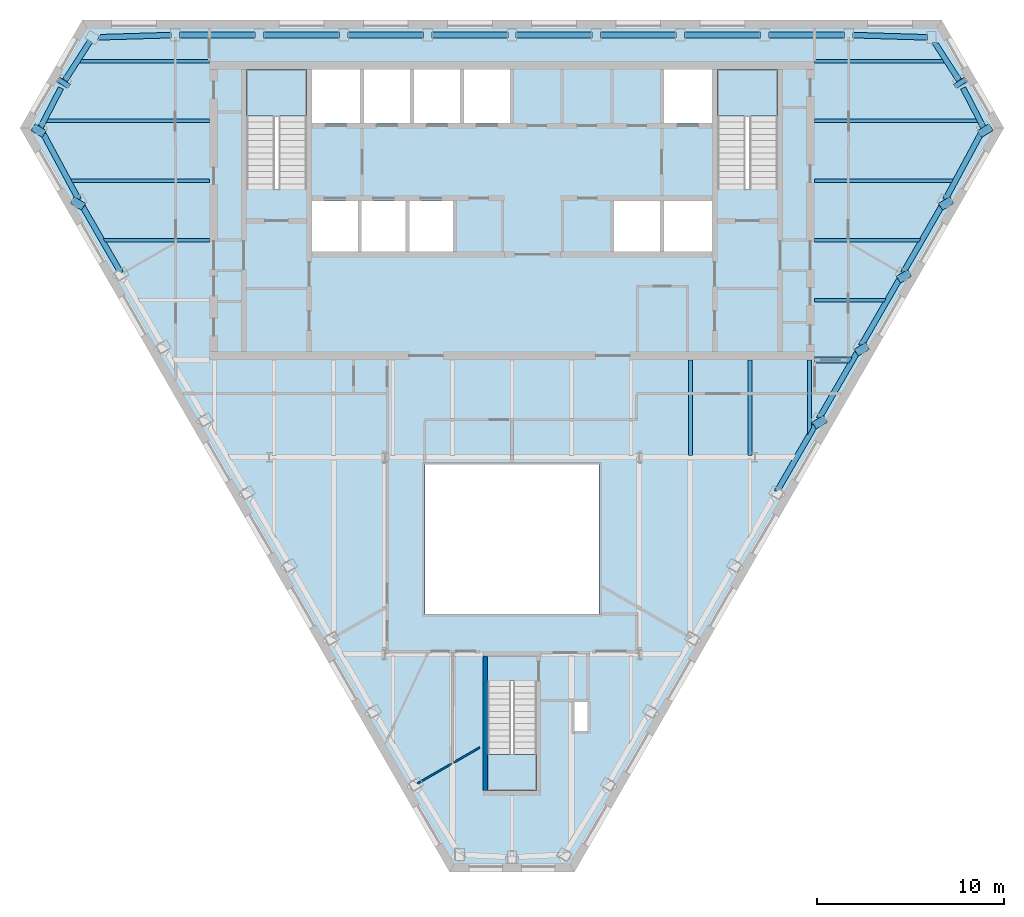
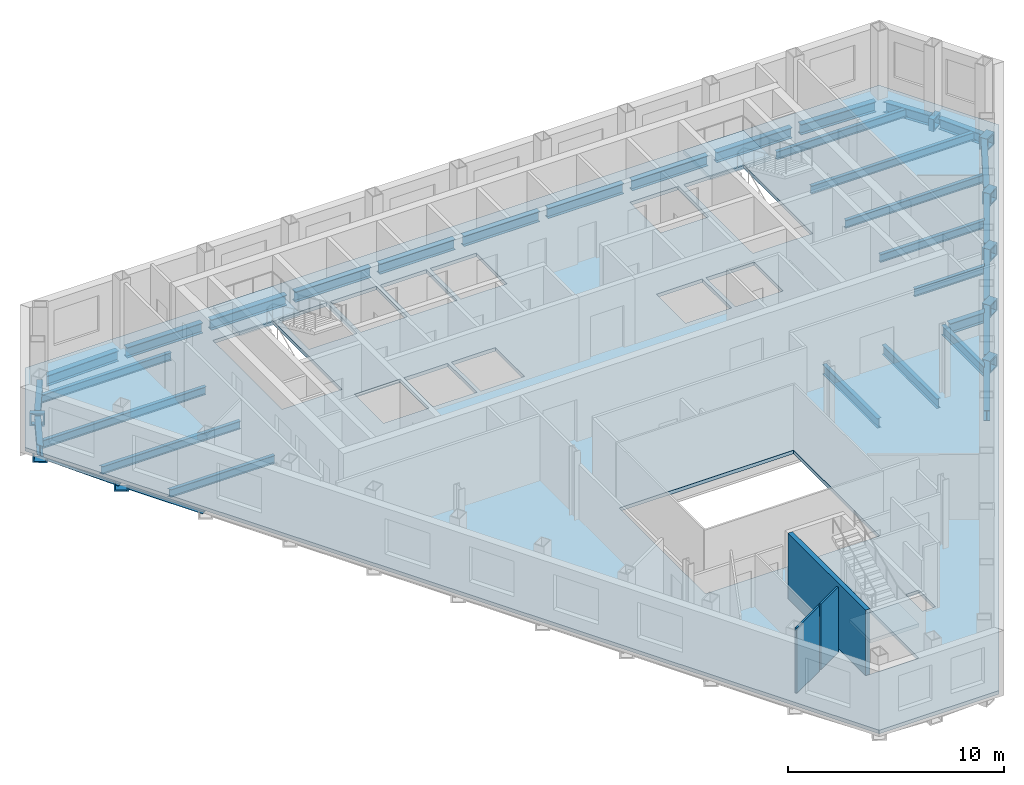
# One storey, part 3 of 10: 43 beams, 4 slabs, 3 walls, 3 elements without a shape of their own.
"""IFC4 building model written with IfcOpenShell, lengths in metres."""

from ifc_helpers import new_model, si_unit, direction, frame, frame_2d, origin, origin_2d, place, context, subcontext, project, spatial, polyline, rectangle, hollow_rectangle, i_section, outline, extrude, clip, halfspace, material, layer, layer_set, material_profile, profile_set, type_object, element, aggregate, save


model = new_model("IFC4")

# Units and contexts
model_context = context("Model", 3, precision=1e-05, world=origin(), true_north=direction((0.0, 1.0)))
body_context = subcontext(model_context, "Body", "Model", "MODEL_VIEW")
ifc_project = project(units=[si_unit("LENGTHUNIT", "METRE"), si_unit("AREAUNIT", "SQUARE_METRE"), si_unit("VOLUMEUNIT", "CUBIC_METRE"), si_unit("PLANEANGLEUNIT", "RADIAN"), si_unit("MASSUNIT", "GRAM", prefix="KILO")], contexts=[model_context])

# Site, building, storey
site_placement = place(None, origin())
site = spatial("IfcSite", under=ifc_project, at=site_placement, CompositionType="ELEMENT")
building_placement = place(site_placement, origin())
building = spatial("IfcBuilding", under=site, at=building_placement, Name="Njiva Tower", CompositionType="ELEMENT")
storey_placement = place(building_placement, frame((0.0, 0.0, 227.7)))
storey = spatial("IfcBuildingStorey", under=building, at=storey_placement, Name="L51", CompositionType="ELEMENT", Elevation=227.7)

# Beams
ifc_material_1 = material(Name="Steel S355 J2", Category="steel")
ifc_material_profile_1 = material_profile(ifc_material_1, hollow_rectangle(XDim=0.7, YDim=0.7, WallThickness=0.08, at=origin_2d()), Name="BOX 700x700x80")
ifc_profile_set_1 = profile_set([ifc_material_profile_1], Name="Steel S355 J2")
beam_type_1 = type_object("IfcBeamType", Name="B19 Column jog beam BOX 700x700x80", PredefinedType="BEAM", material=ifc_profile_set_1)
beam_1_placement = place(storey_placement, frame((-24.09, 16.728, -0.55), z_axis=(0.550486638041, 0.834843974248, 0.0), x_axis=(-0.834843974248, 0.550486638041, 0.0)))
element("IfcBeam", 1, at=beam_1_placement, inside=storey, type_object=beam_type_1, Name="Column jog beam S17-B020", PredefinedType="BEAM", context=body_context, shape_type="SweptSolid", body=[
    extrude(hollow_rectangle(XDim=0.7, YDim=0.7, WallThickness=0.08, at=origin_2d()), origin(), (0.0, 0.0, 1.0), 0.2743),
])
beam_2_placement = place(storey_placement, frame((-25.449, 14.104, -0.55), z_axis=(0.522782921539, 0.852465845032, 0.0), x_axis=(-0.852465845032, 0.522782921539, 0.0)))
element("IfcBeam", 2, at=beam_2_placement, inside=storey, type_object=beam_type_1, Name="Column jog beam S17-B019", PredefinedType="BEAM", context=body_context, shape_type="SweptSolid", body=[
    extrude(hollow_rectangle(XDim=0.7, YDim=0.7, WallThickness=0.08, at=origin_2d()), origin(), (0.0, 0.0, 1.0), 0.4247),
])
beam_3_placement = place(storey_placement, frame((-23.348, 10.2, -0.55), z_axis=(0.52002159304, 0.85415311436, 0.0), x_axis=(-0.85415311436, 0.52002159304, 0.0)))
element("IfcBeam", 3, at=beam_3_placement, inside=storey, type_object=beam_type_1, Name="Column jog beam S17-B021", PredefinedType="BEAM", context=body_context, shape_type="SweptSolid", body=[
    extrude(hollow_rectangle(XDim=0.7, YDim=0.7, WallThickness=0.08, at=origin_2d()), origin(), (0.0, 0.0, 1.0), 0.425),
])
beam_4_placement = place(storey_placement, frame((16.584, -1.515, -0.55), z_axis=(-0.50314668799, 0.864201024279, 0.0), x_axis=(-0.864201024279, -0.50314668799, 0.0)))
element("IfcBeam", 4, at=beam_4_placement, inside=storey, type_object=beam_type_1, Name="Column jog beam S17-B042", PredefinedType="BEAM", context=body_context, shape_type="SweptSolid", body=[
    extrude(hollow_rectangle(XDim=0.7, YDim=0.7, WallThickness=0.08, at=origin_2d()), origin(), (0.0, 0.0, 1.0), 0.4293),
])
beam_5_placement = place(storey_placement, frame((18.839, 2.389, -0.55), z_axis=(-0.510377209409, 0.859950640511, 0.0), x_axis=(-0.859950640511, -0.510377209409, 0.0)))
element("IfcBeam", 5, at=beam_5_placement, inside=storey, type_object=beam_type_1, Name="Column jog beam S17-B043", PredefinedType="BEAM", context=body_context, shape_type="SweptSolid", body=[
    extrude(hollow_rectangle(XDim=0.7, YDim=0.7, WallThickness=0.08, at=origin_2d()), origin(), (0.0, 0.0, 1.0), 0.4291),
])
beam_6_placement = place(storey_placement, frame((21.094, 6.295, -0.55), z_axis=(-0.516220048366, 0.856455989334, 0.0), x_axis=(-0.856455989334, -0.516220048366, 0.0)))
element("IfcBeam", 6, at=beam_6_placement, inside=storey, type_object=beam_type_1, Name="Column jog beam S17-B044", PredefinedType="BEAM", context=body_context, shape_type="SweptSolid", body=[
    extrude(hollow_rectangle(XDim=0.7, YDim=0.7, WallThickness=0.08, at=origin_2d()), origin(), (0.0, 0.0, 1.0), 0.4262),
])
beam_7_placement = place(storey_placement, frame((23.348, 10.2, -0.55), z_axis=(-0.52002159304, 0.85415311436, 0.0), x_axis=(-0.85415311436, -0.52002159304, 0.0)))
element("IfcBeam", 7, at=beam_7_placement, inside=storey, type_object=beam_type_1, Name="Column jog beam S17-B045", PredefinedType="BEAM", context=body_context, shape_type="SweptSolid", body=[
    extrude(hollow_rectangle(XDim=0.7, YDim=0.7, WallThickness=0.08, at=origin_2d()), origin(), (0.0, 0.0, 1.0), 0.425),
])
beam_8_placement = place(storey_placement, frame((25.449, 14.104, -0.55), z_axis=(-0.522782921539, 0.852465845032, 0.0), x_axis=(-0.852465845032, -0.522782921539, 0.0)))
element("IfcBeam", 8, at=beam_8_placement, inside=storey, type_object=beam_type_1, Name="Column jog beam S17-B047", PredefinedType="BEAM", context=body_context, shape_type="SweptSolid", body=[
    extrude(hollow_rectangle(XDim=0.7, YDim=0.7, WallThickness=0.08, at=origin_2d()), origin(), (0.0, 0.0, 1.0), 0.4247),
])
beam_9_placement = place(storey_placement, frame((24.09, 16.728, -0.55), z_axis=(-0.550486638041, 0.834843974248, 0.0), x_axis=(-0.834843974248, -0.550486638041, 0.0)))
element("IfcBeam", 9, at=beam_9_placement, inside=storey, type_object=beam_type_1, Name="Column jog beam S17-B046", PredefinedType="BEAM", context=body_context, shape_type="SweptSolid", body=[
    extrude(hollow_rectangle(XDim=0.7, YDim=0.7, WallThickness=0.08, at=origin_2d()), origin(), (0.0, 0.0, 1.0), 0.2743),
])
ifc_material_profile_2 = material_profile(ifc_material_1, i_section(OverallWidth=0.3, OverallDepth=0.59, WebThickness=0.013, FlangeThickness=0.025, at=origin_2d()), Name="HEA 600")
ifc_profile_set_2 = profile_set([ifc_material_profile_2], Name="Steel S355 J2")
beam_type_2 = type_object("IfcBeamType", Name="B27 Short-span spandrel beam HEA 600", PredefinedType="SPANDREL", material=ifc_profile_set_2)
beam_10_placement = place(storey_placement, frame((22.237, 19.273, -0.495), z_axis=(-0.999544404005, 0.03018251849, 0.0), x_axis=(-0.03018251849, -0.999544404005, 0.0)))
element("IfcBeam", 10, at=beam_10_placement, inside=storey, type_object=beam_type_2, Name="Short-span spandrel beam S17-B132", PredefinedType="SPANDREL", context=body_context, shape_type="SweptSolid", body=[
    extrude(i_section(OverallWidth=0.3, OverallDepth=0.59, WebThickness=0.013, FlangeThickness=0.025, at=origin_2d()), origin(), (0.0, 0.0, 1.0), 3.9758),
])
beam_11_placement = place(storey_placement, frame((17.809, 19.4, -0.495), z_axis=(-1.0, 0.0, 0.0), x_axis=(0.0, -1.0, 0.0)))
element("IfcBeam", 11, at=beam_11_placement, inside=storey, type_object=beam_type_2, Name="Short-span spandrel beam S17-B126", PredefinedType="SPANDREL", context=body_context, shape_type="SweptSolid", body=[
    extrude(i_section(OverallWidth=0.3, OverallDepth=0.59, WebThickness=0.013, FlangeThickness=0.025, at=origin_2d()), origin(), (0.0, 0.0, 1.0), 4.058),
])
beam_12_placement = place(storey_placement, frame((13.301, 19.4, -0.495), z_axis=(-1.0, 0.0, 0.0), x_axis=(0.0, -1.0, 0.0)))
element("IfcBeam", 12, at=beam_12_placement, inside=storey, type_object=beam_type_2, Name="Short-span spandrel beam S17-B120", PredefinedType="SPANDREL", context=body_context, shape_type="SweptSolid", body=[
    extrude(i_section(OverallWidth=0.3, OverallDepth=0.59, WebThickness=0.013, FlangeThickness=0.025, at=origin_2d()), origin(), (0.0, 0.0, 1.0), 4.059),
])
beam_13_placement = place(storey_placement, frame((8.792, 19.4, -0.495), z_axis=(-1.0, 0.0, 0.0), x_axis=(0.0, -1.0, 0.0)))
element("IfcBeam", 13, at=beam_13_placement, inside=storey, type_object=beam_type_2, Name="Short-span spandrel beam S17-B115", PredefinedType="SPANDREL", context=body_context, shape_type="SweptSolid", body=[
    extrude(i_section(OverallWidth=0.3, OverallDepth=0.59, WebThickness=0.013, FlangeThickness=0.025, at=origin_2d()), origin(), (0.0, 0.0, 1.0), 4.058),
])
for number, where, z_axis, x_axis, name in (
    (14, (4.284, 19.4, -0.495), (-1.0, 0.0, 0.0), (0.0, -1.0, 0.0), "Short-span spandrel beam S17-B110"),
    (15, (-0.225, 19.4, -0.495), (-1.0, 0.0, 0.0), (0.0, -1.0, 0.0), "Short-span spandrel beam S17-B107"),
):
    element("IfcBeam", number, at=place(storey_placement, frame(where, z_axis=z_axis, x_axis=x_axis)), inside=storey, type_object=beam_type_2, Name=name, PredefinedType="SPANDREL", context=body_context, shape_type="SweptSolid", body=[
        extrude(i_section(OverallWidth=0.3, OverallDepth=0.59, WebThickness=0.013, FlangeThickness=0.025, at=origin_2d()), origin(), (0.0, 0.0, 1.0), 4.059),
    ])
beam_14_placement = place(storey_placement, frame((-4.734, 19.4, -0.495), z_axis=(-1.0, 0.0, 0.0), x_axis=(0.0, -1.0, 0.0)))
element("IfcBeam", 16, at=beam_14_placement, inside=storey, type_object=beam_type_2, Name="Short-span spandrel beam S17-B102", PredefinedType="SPANDREL", context=body_context, shape_type="SweptSolid", body=[
    extrude(i_section(OverallWidth=0.3, OverallDepth=0.59, WebThickness=0.013, FlangeThickness=0.025, at=origin_2d()), origin(), (0.0, 0.0, 1.0), 4.058),
])
beam_15_placement = place(storey_placement, frame((-9.242, 19.4, -0.495), z_axis=(-1.0, 0.0, 0.0), x_axis=(0.0, -1.0, 0.0)))
element("IfcBeam", 17, at=beam_15_placement, inside=storey, type_object=beam_type_2, Name="Short-span spandrel beam S17-B097", PredefinedType="SPANDREL", context=body_context, shape_type="SweptSolid", body=[
    extrude(i_section(OverallWidth=0.3, OverallDepth=0.59, WebThickness=0.013, FlangeThickness=0.025, at=origin_2d()), origin(), (0.0, 0.0, 1.0), 4.059),
])
beam_16_placement = place(storey_placement, frame((-13.751, 19.4, -0.495), z_axis=(-1.0, 0.0, 0.0), x_axis=(0.0, -1.0, 0.0)))
element("IfcBeam", 18, at=beam_16_placement, inside=storey, type_object=beam_type_2, Name="Short-span spandrel beam S17-B091", PredefinedType="SPANDREL", context=body_context, shape_type="SweptSolid", body=[
    extrude(i_section(OverallWidth=0.3, OverallDepth=0.59, WebThickness=0.013, FlangeThickness=0.025, at=origin_2d()), origin(), (0.0, 0.0, 1.0), 4.058),
])
beam_17_placement = place(storey_placement, frame((-18.263, 19.393, -0.495), z_axis=(-0.999546639656, -0.030108390081, 0.0), x_axis=(0.030108390081, -0.999546639656, 0.0)))
element("IfcBeam", 19, at=beam_17_placement, inside=storey, type_object=beam_type_2, Name="Short-span spandrel beam S17-B085", PredefinedType="SPANDREL", context=body_context, shape_type="Clipping", body=[
    clip(extrude(i_section(OverallWidth=0.3, OverallDepth=0.59, WebThickness=0.013, FlangeThickness=0.025, at=origin_2d()), origin(), (0.0, 0.0, 1.0), 3.9657), halfspace(frame((-0.0265, 0.0, 3.8362), z_axis=(-0.52584599579, 0.0, 0.850579795617), x_axis=(0.0, 1.0, 0.0)), False)),
])
beam_18_placement = place(storey_placement, frame((-22.584, 19.068, -0.495), z_axis=(-0.540635872705, -0.841256710609, 0.0), x_axis=(0.841256710609, -0.540635872705, 0.0)))
element("IfcBeam", 20, at=beam_18_placement, inside=storey, type_object=beam_type_2, Name="Short-span spandrel beam S17-B081", PredefinedType="SPANDREL", context=body_context, shape_type="SweptSolid", body=[
    extrude(i_section(OverallWidth=0.3, OverallDepth=0.59, WebThickness=0.013, FlangeThickness=0.025, at=origin_2d()), origin(), (0.0, 0.0, 1.0), 2.4915),
])
beam_19_placement = place(storey_placement, frame((-24.149, 16.564, -0.495), z_axis=(-0.458600129204, -0.888642741204, 0.0), x_axis=(0.888642741204, -0.458600129204, 0.0)))
element("IfcBeam", 21, at=beam_19_placement, inside=storey, type_object=beam_type_2, Name="Short-span spandrel beam S17-B077", PredefinedType="SPANDREL", context=body_context, shape_type="Clipping", body=[
    clip(extrude(i_section(OverallWidth=0.3, OverallDepth=0.59, WebThickness=0.013, FlangeThickness=0.025, at=origin_2d()), origin(), (0.0, 0.0, 1.0), 2.4972), halfspace(frame((-0.0266, 0.0, 2.3638), z_axis=(-0.540289057974, 0.0, 0.841479491036), x_axis=(0.0, 1.0, 0.0)), False)),
])
beam_20_placement = place(storey_placement, frame((-25.08, 14.086, -0.495), z_axis=(0.473664979548, -0.880705107939, 0.0), x_axis=(0.880705107939, 0.473664979548, 0.0)))
element("IfcBeam", 22, at=beam_20_placement, inside=storey, type_object=beam_type_2, Name="Short-span spandrel beam S17-B080", PredefinedType="SPANDREL", context=body_context, shape_type="SweptSolid", body=[
    extrude(i_section(OverallWidth=0.3, OverallDepth=0.59, WebThickness=0.013, FlangeThickness=0.025, at=origin_2d()), origin(), (0.0, 0.0, 1.0), 3.9775),
])
for number, where, z_axis, x_axis, name in (
    (23, (-22.972, 10.19, -0.495), (0.499928631667, -0.86606660439, 0.0), (0.86606660439, 0.499928631667, 0.0), "Short-span spandrel beam S17-B084"),
    (24, (14.18, -5.039, -0.495), (0.499928631667, 0.86606660439, 0.0), (-0.86606660439, 0.499928631667, 0.0), "Short-span spandrel beam S17-B127"),
):
    element("IfcBeam", number, at=place(storey_placement, frame(where, z_axis=z_axis, x_axis=x_axis)), inside=storey, type_object=beam_type_2, Name=name, PredefinedType="SPANDREL", context=body_context, shape_type="SweptSolid", body=[
        extrude(i_section(OverallWidth=0.3, OverallDepth=0.59, WebThickness=0.013, FlangeThickness=0.025, at=origin_2d()), origin(), (0.0, 0.0, 1.0), 4.0586),
    ])
beam_21_placement = place(storey_placement, frame((16.434, -1.134, -0.495), z_axis=(0.500035331196, 0.866005004348, 0.0), x_axis=(-0.866005004348, 0.500035331196, 0.0)))
element("IfcBeam", 25, at=beam_21_placement, inside=storey, type_object=beam_type_2, Name="Short-span spandrel beam S17-B129", PredefinedType="SPANDREL", context=body_context, shape_type="SweptSolid", body=[
    extrude(i_section(OverallWidth=0.3, OverallDepth=0.59, WebThickness=0.013, FlangeThickness=0.025, at=origin_2d()), origin(), (0.0, 0.0, 1.0), 4.0577),
])
beam_22_placement = place(storey_placement, frame((18.688, 2.77, -0.495), z_axis=(0.500006734102, 0.866021515814, 0.0), x_axis=(-0.866021515814, 0.500006734102, 0.0)))
element("IfcBeam", 26, at=beam_22_placement, inside=storey, type_object=beam_type_2, Name="Short-span spandrel beam S17-B133", PredefinedType="SPANDREL", context=body_context, shape_type="SweptSolid", body=[
    extrude(i_section(OverallWidth=0.3, OverallDepth=0.59, WebThickness=0.013, FlangeThickness=0.025, at=origin_2d()), origin(), (0.0, 0.0, 1.0), 4.0599),
])
beam_23_placement = place(storey_placement, frame((20.943, 6.675, -0.495), z_axis=(0.499928631667, 0.86606660439, 0.0), x_axis=(-0.86606660439, 0.499928631667, 0.0)))
element("IfcBeam", 27, at=beam_23_placement, inside=storey, type_object=beam_type_2, Name="Short-span spandrel beam S17-B135", PredefinedType="SPANDREL", context=body_context, shape_type="SweptSolid", body=[
    extrude(i_section(OverallWidth=0.3, OverallDepth=0.59, WebThickness=0.013, FlangeThickness=0.025, at=origin_2d()), origin(), (0.0, 0.0, 1.0), 4.0586),
])
beam_24_placement = place(storey_placement, frame((23.196, 10.583, -0.495), z_axis=(0.473853135493, 0.880603887104, 0.0), x_axis=(-0.880603887104, 0.473853135493, 0.0)))
element("IfcBeam", 28, at=beam_24_placement, inside=storey, type_object=beam_type_2, Name="Short-span spandrel beam S17-B139", PredefinedType="SPANDREL", context=body_context, shape_type="SweptSolid", body=[
    extrude(i_section(OverallWidth=0.3, OverallDepth=0.59, WebThickness=0.013, FlangeThickness=0.025, at=origin_2d()), origin(), (0.0, 0.0, 1.0), 4.3516),
])
beam_25_placement = place(storey_placement, frame((25.258, 14.415, -0.495), z_axis=(-0.458590252473, 0.8886478382, 0.0), x_axis=(-0.8886478382, -0.458590252473, 0.0)))
element("IfcBeam", 29, at=beam_25_placement, inside=storey, type_object=beam_type_2, Name="Short-span spandrel beam S17-B142", PredefinedType="SPANDREL", context=body_context, shape_type="SweptSolid", body=[
    extrude(i_section(OverallWidth=0.3, OverallDepth=0.59, WebThickness=0.013, FlangeThickness=0.025, at=origin_2d()), origin(), (0.0, 0.0, 1.0), 2.4183),
])
beam_26_placement = place(storey_placement, frame((23.931, 16.972, -0.495), z_axis=(-0.540608392344, 0.841274370302, 0.0), x_axis=(-0.841274370302, -0.540608392344, 0.0)))
element("IfcBeam", 30, at=beam_26_placement, inside=storey, type_object=beam_type_2, Name="Short-span spandrel beam S17-B138", PredefinedType="SPANDREL", context=body_context, shape_type="Clipping", body=[
    clip(extrude(i_section(OverallWidth=0.3, OverallDepth=0.59, WebThickness=0.013, FlangeThickness=0.025, at=origin_2d()), origin(), (0.0, 0.0, 1.0), 2.4874), halfspace(frame((-0.027, 0.0, 2.354), z_axis=(-0.540608392344, 0.0, 0.841274370302), x_axis=(0.0, 1.0, 0.0)), False)),
])
ifc_material_profile_3 = material_profile(ifc_material_1, i_section(OverallWidth=0.3, OverallDepth=0.59, WebThickness=0.013, FlangeThickness=0.025, at=origin_2d()), Name="HEA 600")
ifc_profile_set_3 = profile_set([ifc_material_profile_3], Name="Steel S355 J2")
beam_type_3 = type_object("IfcBeamType", Name="B29 Short-span floor girder HEA 600", PredefinedType="BEAM", material=ifc_profile_set_3)
beam_27_placement = place(storey_placement, frame((16.2, 2.0, -0.495), z_axis=(1.0, 0.0, 0.0), x_axis=(0.0, 1.0, 0.0)))
element("IfcBeam", 31, at=beam_27_placement, inside=storey, type_object=beam_type_3, Name="Short-span floor girder S17-B018", PredefinedType="BEAM", context=body_context, shape_type="Clipping", body=[
    clip(extrude(i_section(OverallWidth=0.3, OverallDepth=0.59, WebThickness=0.013, FlangeThickness=0.025, at=origin_2d()), origin(), (0.0, 0.0, 1.0), 2.035), halfspace(frame((-0.025, 0.0, 1.9136), z_axis=(-0.499998009787, 0.0, 0.866026552831), x_axis=(0.0, 1.0, 0.0)), False)),
])
ifc_material_profile_4 = material_profile(ifc_material_1, i_section(OverallWidth=0.21, OverallDepth=0.55, WebThickness=0.0111, FlangeThickness=0.0172, at=origin_2d()), Name="IPE 550")
ifc_profile_set_4 = profile_set([ifc_material_profile_4], Name="Steel S355 J2")
beam_type_4 = type_object("IfcBeamType", Name="B31 Short-span floor joist IPE 550", PredefinedType="JOIST", material=ifc_profile_set_4)
beam_28_placement = place(storey_placement, frame((15.917, 1.995, -0.475), z_axis=(0.0, -1.0, 0.0), x_axis=(1.0, 0.0, 0.0)))
element("IfcBeam", 32, at=beam_28_placement, inside=storey, type_object=beam_type_4, Name="Short-span floor joist S17-B070", PredefinedType="JOIST", context=body_context, shape_type="Clipping", body=[
    clip(extrude(i_section(OverallWidth=0.21, OverallDepth=0.55, WebThickness=0.0111, FlangeThickness=0.0172, at=origin_2d()), origin(), (0.0, 0.0, 1.0), 4.027), halfspace(frame((0.043, 0.0, 3.7501), z_axis=(0.866026552831, 0.0, 0.499998009787), x_axis=(0.0, 1.0, 0.0)), False)),
])
ifc_material_profile_5 = material_profile(ifc_material_1, i_section(OverallWidth=0.21, OverallDepth=0.55, WebThickness=0.0111, FlangeThickness=0.0172, at=origin_2d()), Name="IPE 550")
ifc_profile_set_5 = profile_set([ifc_material_profile_5], Name="Steel S355 J2")
beam_type_5 = type_object("IfcBeamType", Name="B32 Floor joist IPE 550", PredefinedType="JOIST", material=ifc_profile_set_5)
for number, where, z_axis, x_axis, name in (
    (33, (9.55, 1.995, -0.475), (0.0, -1.0, 0.0), (1.0, 0.0, 0.0), "Floor joist S17-B067"),
    (34, (12.733, 1.995, -0.475), (0.0, -1.0, 0.0), (1.0, 0.0, 0.0), "Floor joist S17-B069"),
):
    element("IfcBeam", number, at=place(storey_placement, frame(where, z_axis=z_axis, x_axis=x_axis)), inside=storey, type_object=beam_type_5, Name=name, PredefinedType="JOIST", context=body_context, shape_type="SweptSolid", body=[
        extrude(i_section(OverallWidth=0.21, OverallDepth=0.55, WebThickness=0.0111, FlangeThickness=0.0172, at=origin_2d()), origin(), (0.0, 0.0, 1.0), 5.095),
    ])
ifc_material_profile_6 = material_profile(ifc_material_1, i_section(OverallWidth=0.19, OverallDepth=0.45, WebThickness=0.0094, FlangeThickness=0.0146, at=origin_2d()), Name="IPE 450")
ifc_profile_set_6 = profile_set([ifc_material_profile_6], Name="Steel S355 J2")
beam_type_6 = type_object("IfcBeamType", Name="B37 Floor beam to the core IPE 450", PredefinedType="BEAM", material=ifc_profile_set_6)
beam_29_placement = place(storey_placement, frame((-21.898, 8.4, -0.425), z_axis=(1.0, 0.0, 0.0), x_axis=(0.0, 1.0, 0.0)))
element("IfcBeam", 35, at=beam_29_placement, inside=storey, type_object=beam_type_6, Name="Floor beam to the core S17-B004", PredefinedType="BEAM", context=body_context, shape_type="Clipping", body=[
    clip(extrude(i_section(OverallWidth=0.19, OverallDepth=0.45, WebThickness=0.0094, FlangeThickness=0.0146, at=origin_2d()), origin(), (0.0, 0.0, 1.0), 5.698), halfspace(frame((-0.025, 0.0, 0.0894), z_axis=(-0.499998009787, 0.0, -0.866026552831), x_axis=(0.0, -1.0, 0.0)), False)),
])
beam_30_placement = place(storey_placement, frame((16.2, 8.4, -0.425), z_axis=(1.0, 0.0, 0.0), x_axis=(0.0, 1.0, 0.0)))
element("IfcBeam", 36, at=beam_30_placement, inside=storey, type_object=beam_type_6, Name="Floor beam to the core S17-B007", PredefinedType="BEAM", context=body_context, shape_type="Clipping", body=[
    clip(extrude(i_section(OverallWidth=0.19, OverallDepth=0.45, WebThickness=0.0094, FlangeThickness=0.0146, at=origin_2d()), origin(), (0.0, 0.0, 1.0), 5.698), halfspace(frame((-0.025, 0.0, 5.6086), z_axis=(-0.499998009787, 0.0, 0.866026552831), x_axis=(0.0, 1.0, 0.0)), False)),
])
beam_31_placement = place(storey_placement, frame((-23.701, 11.6, -0.425), z_axis=(1.0, 0.0, 0.0), x_axis=(0.0, 1.0, 0.0)))
element("IfcBeam", 37, at=beam_31_placement, inside=storey, type_object=beam_type_6, Name="Floor beam to the core S17-B002", PredefinedType="BEAM", context=body_context, shape_type="Clipping", body=[
    clip(extrude(i_section(OverallWidth=0.19, OverallDepth=0.45, WebThickness=0.0094, FlangeThickness=0.0146, at=origin_2d()), origin(), (0.0, 0.0, 1.0), 7.501), halfspace(frame((-0.0237, 0.0, 0.0841), z_axis=(-0.47376166762, 0.0, -0.88065309986), x_axis=(0.0, -1.0, 0.0)), False)),
])
beam_32_placement = place(storey_placement, frame((16.2, 11.6, -0.425), z_axis=(1.0, 0.0, 0.0), x_axis=(0.0, 1.0, 0.0)))
element("IfcBeam", 38, at=beam_32_placement, inside=storey, type_object=beam_type_6, Name="Floor beam to the core S17-B008", PredefinedType="BEAM", context=body_context, shape_type="Clipping", body=[
    clip(extrude(i_section(OverallWidth=0.19, OverallDepth=0.45, WebThickness=0.0094, FlangeThickness=0.0146, at=origin_2d()), origin(), (0.0, 0.0, 1.0), 7.501), halfspace(frame((-0.0237, 0.0, 7.4169), z_axis=(-0.47376166762, 0.0, 0.88065309986), x_axis=(0.0, 1.0, 0.0)), False)),
])
beam_33_placement = place(storey_placement, frame((-25.015, 14.8, -0.425), z_axis=(1.0, 0.0, 0.0), x_axis=(0.0, 1.0, 0.0)))
element("IfcBeam", 39, at=beam_33_placement, inside=storey, type_object=beam_type_6, Name="Floor beam to the core S17-B001", PredefinedType="BEAM", context=body_context, shape_type="Clipping", body=[
    clip(extrude(i_section(OverallWidth=0.19, OverallDepth=0.45, WebThickness=0.0094, FlangeThickness=0.0146, at=origin_2d()), origin(), (0.0, 0.0, 1.0), 8.815), halfspace(frame((0.0229, 0.0, 0.0804), z_axis=(0.458330853115, 0.0, -0.888781654335), x_axis=(0.0, -1.0, 0.0)), False)),
])
beam_34_placement = place(storey_placement, frame((16.2, 14.8, -0.425), z_axis=(1.0, 0.0, 0.0), x_axis=(0.0, 1.0, 0.0)))
element("IfcBeam", 40, at=beam_34_placement, inside=storey, type_object=beam_type_6, Name="Floor beam to the core S17-B009", PredefinedType="BEAM", context=body_context, shape_type="Clipping", body=[
    clip(extrude(i_section(OverallWidth=0.19, OverallDepth=0.45, WebThickness=0.0094, FlangeThickness=0.0146, at=origin_2d()), origin(), (0.0, 0.0, 1.0), 8.815), halfspace(frame((0.0229, 0.0, 8.7346), z_axis=(0.458330853115, 0.0, 0.888781654335), x_axis=(0.0, 1.0, 0.0)), False)),
])
beam_35_placement = place(storey_placement, frame((-23.232, 18.0, -0.425), z_axis=(1.0, 0.0, 0.0), x_axis=(0.0, 1.0, 0.0)))
element("IfcBeam", 41, at=beam_35_placement, inside=storey, type_object=beam_type_6, Name="Floor beam to the core S17-B003", PredefinedType="BEAM", context=body_context, shape_type="Clipping", body=[
    clip(extrude(i_section(OverallWidth=0.19, OverallDepth=0.45, WebThickness=0.0094, FlangeThickness=0.0146, at=origin_2d()), origin(), (0.0, 0.0, 1.0), 7.032), halfspace(frame((0.027, 0.0, 0.098), z_axis=(0.540539234056, 0.0, -0.841318807852), x_axis=(0.0, -1.0, 0.0)), False)),
])
beam_36_placement = place(storey_placement, frame((16.2, 18.0, -0.425), z_axis=(1.0, 0.0, 0.0), x_axis=(0.0, 1.0, 0.0)))
element("IfcBeam", 42, at=beam_36_placement, inside=storey, type_object=beam_type_6, Name="Floor beam to the core S17-B010", PredefinedType="BEAM", context=body_context, shape_type="Clipping", body=[
    clip(extrude(i_section(OverallWidth=0.19, OverallDepth=0.45, WebThickness=0.0094, FlangeThickness=0.0146, at=origin_2d()), origin(), (0.0, 0.0, 1.0), 7.032), halfspace(frame((0.027, 0.0, 6.934), z_axis=(0.540539234056, 0.0, 0.841318807852), x_axis=(0.0, 1.0, 0.0)), False)),
])
ifc_material_profile_7 = material_profile(ifc_material_1, i_section(OverallWidth=0.19, OverallDepth=0.45, WebThickness=0.0094, FlangeThickness=0.0146, at=origin_2d()), Name="IPE 450")
ifc_profile_set_7 = profile_set([ifc_material_profile_7], Name="Steel S355 J2")
beam_type_7 = type_object("IfcBeamType", Name="B38 Short-span floor beam to the core IPE 450", PredefinedType="BEAM", material=ifc_profile_set_7)
beam_37_placement = place(storey_placement, frame((16.2, 5.2, -0.425), z_axis=(1.0, 0.0, 0.0), x_axis=(0.0, 1.0, 0.0)))
element("IfcBeam", 43, at=beam_37_placement, inside=storey, type_object=beam_type_7, Name="Short-span floor beam to the core S17-B006", PredefinedType="BEAM", context=body_context, shape_type="Clipping", body=[
    clip(extrude(i_section(OverallWidth=0.19, OverallDepth=0.45, WebThickness=0.0094, FlangeThickness=0.0146, at=origin_2d()), origin(), (0.0, 0.0, 1.0), 3.851), halfspace(frame((-0.025, 0.0, 3.7611), z_axis=(-0.499998009787, 0.0, 0.866026552831), x_axis=(0.0, 1.0, 0.0)), False)),
])

# Stair, slab
ifc_material_2 = material(Name="Concrete C40/50", Category="concrete")
stair_type_1 = type_object("IfcStairType", Name="ST4 Exit stair 1500", PredefinedType="HALF_TURN_STAIR", material=ifc_material_2)
stair_1_placement = place(storey_placement, origin())
stair_1 = element("IfcStair", 44, at=stair_1_placement, inside=storey, type_object=stair_type_1, Name="Stair A", PredefinedType="HALF_TURN_STAIR")
ifc_layer_1 = layer(ifc_material_2, 0.2)
ifc_layer_set_1 = layer_set([ifc_layer_1], Name="Concrete C40/50")
slab_type_1 = type_object("IfcSlabType", Name="FL9 Stair landing 200", PredefinedType="LANDING", material=ifc_layer_set_1)
slab_1_placement = place(storey_placement, frame((0.0, 0.0, 1.75)))
slab_1 = element("IfcSlab", 45, at=slab_1_placement, type_object=slab_type_1, Name="ST-A landing 1", PredefinedType="LANDING", context=body_context, shape_type="SweptSolid", body=[
    extrude(outline(polyline([(-14.206, 15.06), (-10.994, 15.06), (-10.994, 17.55), (-14.206, 17.55), (-14.206, 15.06)])), origin(), (0.0, 0.0, 1.0), 0.2),
])
aggregate(stair_1, [slab_1])

stair_2_placement = place(storey_placement, origin())
stair_2 = element("IfcStair", 46, at=stair_2_placement, inside=storey, type_object=stair_type_1, Name="Stair B", PredefinedType="HALF_TURN_STAIR")
slab_2_placement = place(storey_placement, frame((0.0, 0.0, 1.75)))
slab_2 = element("IfcSlab", 47, at=slab_2_placement, type_object=slab_type_1, Name="ST-B landing 1", PredefinedType="LANDING", context=body_context, shape_type="SweptSolid", body=[
    extrude(outline(polyline([(10.994, 15.06), (14.206, 15.06), (14.206, 17.55), (10.994, 17.55), (10.994, 15.06)])), origin(), (0.0, 0.0, 1.0), 0.2),
])
aggregate(stair_2, [slab_2])

stair_type_2 = type_object("IfcStairType", Name="ST1 Exit stair 1250", PredefinedType="HALF_TURN_STAIR", material=ifc_material_2)
stair_3_placement = place(storey_placement, origin())
stair_3 = element("IfcStair", 48, at=stair_3_placement, inside=storey, type_object=stair_type_2, Name="Stair C", PredefinedType="HALF_TURN_STAIR")
slab_3_placement = place(storey_placement, frame((0.0, 0.0, 1.75)))
slab_3 = element("IfcSlab", 49, at=slab_3_placement, type_object=slab_type_1, Name="ST-C landing 1", PredefinedType="LANDING", context=body_context, shape_type="SweptSolid", body=[
    extrude(outline(polyline([(-1.306, -21.05), (1.306, -21.05), (1.306, -19.12), (-1.306, -19.12), (-1.306, -21.05)])), origin(), (0.0, 0.0, 1.0), 0.2),
])
aggregate(stair_3, [slab_3])

# Slab
ifc_material_3 = material(Name="Concrete C30/37", Category="concrete")
ifc_layer_2 = layer(ifc_material_3, 0.2)
ifc_layer_set_2 = layer_set([ifc_layer_2], Name="Concrete C30/37")
slab_type_2 = type_object("IfcSlabType", Name="SL16 Composite floor slab 200", PredefinedType="FLOOR", material=ifc_layer_set_2)
slab_4_placement = place(storey_placement, frame((0.0, 0.0, -0.2)))
element("IfcSlab", 50, at=slab_4_placement, inside=storey, type_object=slab_type_2, Name="Floor slab L51", PredefinedType="FLOOR", context=body_context, shape_type="SweptSolid", body=[
    extrude(outline(polyline([(26.0752, 14.415), (3.2101, -25.1886), (-3.2101, -25.1886), (-26.0752, 14.415), (-22.8651, 19.975), (22.8651, 19.975), (26.0752, 14.415)]), holes=[polyline([(10.994, 11.13), (14.206, 11.13), (14.206, 17.55), (10.994, 17.55), (10.994, 11.13)]), polyline([(8.125, 14.7), (10.7, 14.7), (10.7, 17.55), (8.125, 17.55), (8.125, 14.7)]), polyline([(8.1333, 7.8), (10.7, 7.8), (10.7, 10.5), (8.1333, 10.5), (8.1333, 7.8)]), polyline([(5.4667, 7.8), (7.9333, 7.8), (7.9333, 10.5), (5.4667, 10.5), (5.4667, 7.8)]), polyline([(4.67, -11.6), (4.67, -3.6), (-4.67, -3.6), (-4.67, -11.6), (4.67, -11.6)]), polyline([(3.35, -17.85), (4.05, -17.85), (4.05, -16.3), (3.35, -16.3), (3.35, -17.85)]), polyline([(-1.306, -21.05), (1.306, -21.05), (1.306, -15.19), (-1.306, -15.19), (-1.306, -21.05)]), polyline([(-2.575, 14.7), (-0.1, 14.7), (-0.1, 17.55), (-2.575, 17.55), (-2.575, 14.7)]), polyline([(-5.25, 14.7), (-2.775, 14.7), (-2.775, 17.55), (-5.25, 17.55), (-5.25, 14.7)]), polyline([(-5.5, 7.8), (-3.15, 7.8), (-3.15, 10.5), (-5.5, 10.5), (-5.5, 7.8)]), polyline([(-7.925, 14.7), (-5.45, 14.7), (-5.45, 17.55), (-7.925, 17.55), (-7.925, 14.7)]), polyline([(-8.05, 7.8), (-5.7, 7.8), (-5.7, 10.5), (-8.05, 10.5), (-8.05, 7.8)]), polyline([(-10.7, 14.7), (-8.125, 14.7), (-8.125, 17.55), (-10.7, 17.55), (-10.7, 14.7)]), polyline([(-8.25, 7.8), (-8.25, 10.5), (-10.7, 10.5), (-10.7, 7.8), (-8.25, 7.8)]), polyline([(-14.206, 11.13), (-10.994, 11.13), (-10.994, 17.55), (-14.206, 17.55), (-14.206, 11.13)])]), origin(), (0.0, 0.0, 1.0), 0.2),
])

# Walls
ifc_material_4 = material(Name="Gypsum board on steel studs", Category="gypsum")
ifc_layer_3 = layer(ifc_material_4, 0.1)
ifc_layer_set_3 = layer_set([ifc_layer_3], Name="Gypsum board on steel studs")
wall_type_1 = type_object("IfcWallType", Name="WT20 Gypsum partition 100", PredefinedType="PARTITIONING", material=ifc_layer_set_3)
wall_1_placement = place(storey_placement, frame((-5.045, -20.66, 0.0), z_axis=(0.0, 0.0, 1.0), x_axis=(0.866002828817, 0.500039098953, 0.0)))
element("IfcWall", 51, at=wall_1_placement, inside=storey, type_object=wall_type_1, Name="Partition S17-P011", PredefinedType="PARTITIONING", context=body_context, shape_type="SweptSolid", body=[
    extrude(rectangle(XDim=2.0958, YDim=0.1, at=frame_2d((1.0479, 0.0))), origin(), (0.0, 0.0, 1.0), 3.7),
])
wall_2_placement = place(storey_placement, frame((-3.117, -19.547, 0.0), z_axis=(0.0, 0.0, 1.0), x_axis=(0.865936922628, 0.500153222552, 0.0)))
element("IfcWall", 52, at=wall_2_placement, inside=storey, type_object=wall_type_1, Name="Partition S17-P015", PredefinedType="PARTITIONING", context=body_context, shape_type="SweptSolid", body=[
    extrude(rectangle(XDim=1.6075, YDim=0.1, at=frame_2d((0.8038, 0.0))), origin(), (0.0, 0.0, 1.0), 3.7),
])
ifc_layer_4 = layer(ifc_material_2, 0.25)
ifc_layer_set_4 = layer_set([ifc_layer_4], Name="Concrete C40/50")
wall_type_2 = type_object("IfcWallType", Name="WT9 Stair enclosure wall 250", PredefinedType="SHEAR", material=ifc_layer_set_4)
wall_3_placement = place(storey_placement, frame((-1.425, -21.05, 0.0), z_axis=(0.0, 0.0, 1.0), x_axis=(0.0, 1.0, 0.0)))
element("IfcWall", 53, at=wall_3_placement, inside=storey, type_object=wall_type_2, Name="Stair C wall west", PredefinedType="SHEAR", context=body_context, shape_type="SweptSolid", body=[
    extrude(rectangle(XDim=7.2, YDim=0.25, at=frame_2d((3.6, 0.0))), origin(), (0.0, 0.0, 1.0), 3.7),
])

save(model, "model.ifc")
